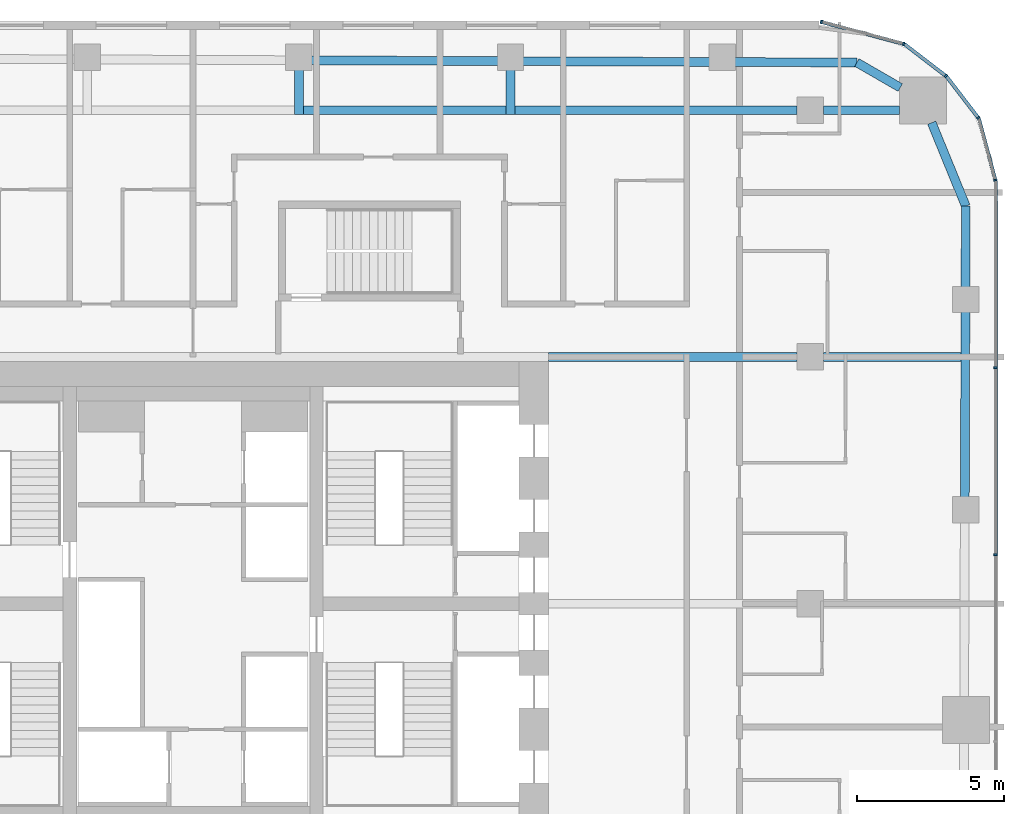
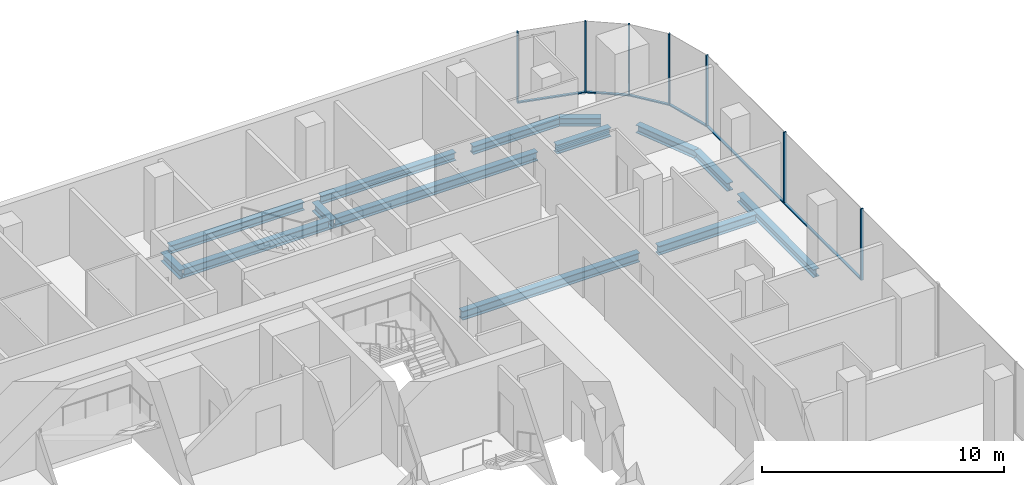
# One storey, part 11 of 23: 14 beams, 13 members, 5 elements without a shape of their own.
"""IFC4 building model written with IfcOpenShell, lengths in metres."""

from ifc_helpers import new_model, si_unit, direction, frame, origin, origin_2d, place, context, subcontext, project, spatial, rectangle, i_section, extrude, material, layer, layer_set, material_profile, profile_set, type_object, element, aggregate, save


model = new_model("IFC4")

# Units and contexts
model_context = context("Model", 3, precision=1e-05, world=origin(), true_north=direction((0.0, 1.0)))
body_context = subcontext(model_context, "Body", "Model", "MODEL_VIEW")
ifc_project = project(units=[si_unit("LENGTHUNIT", "METRE"), si_unit("AREAUNIT", "SQUARE_METRE"), si_unit("VOLUMEUNIT", "CUBIC_METRE"), si_unit("PLANEANGLEUNIT", "RADIAN"), si_unit("MASSUNIT", "GRAM", prefix="KILO")], contexts=[model_context])

# Site, building, storey
site_placement = place(None, origin())
site = spatial("IfcSite", under=ifc_project, at=site_placement, CompositionType="ELEMENT")
building_placement = place(site_placement, origin())
building = spatial("IfcBuilding", under=site, at=building_placement, Name="Marenta Gate Hotel Tower", CompositionType="ELEMENT")
storey_placement = place(building_placement, frame((0.0, 0.0, 119.300048828125)))
storey = spatial("IfcBuildingStorey", under=building, at=storey_placement, Name="L26", CompositionType="ELEMENT", Elevation=119.300048828125)

# Beams
ifc_material_1 = material(Name="Steel S355", Category="steel")
ifc_material_profile_1 = material_profile(ifc_material_1, i_section(OverallWidth=0.300048828125, OverallDepth=0.39990234375, WebThickness=0.013427734375, FlangeThickness=0.02392578125, FilletRadius=0.027099609375, at=origin_2d()), Name="HEB 400")
ifc_profile_set_1 = profile_set([ifc_material_profile_1], Name="Steel S355")
beam_type_1 = type_object("IfcBeamType", Name="Edge beam HEB 400", PredefinedType="SPANDREL", material=ifc_profile_set_1)
beam_1_placement = place(storey_placement, frame((4.011474609375, 26.89697265625, -0.4599609375), z_axis=(0.999991780119, -0.004054589324, 0.0), x_axis=(0.004054589324, 0.999991780119, 0.0)))
element("IfcBeam", 1, at=beam_1_placement, inside=storey, type_object=beam_type_1, Name="L26-EB-17", PredefinedType="SPANDREL", context=body_context, shape_type="SweptSolid", body=[
    extrude(i_section(OverallWidth=0.300048828125, OverallDepth=0.39990234375, WebThickness=0.013427734375, FlangeThickness=0.02392578125, FilletRadius=0.027099609375, at=origin_2d()), origin(), (0.0, 0.0, 1.0), 6.382568359375),
])
beam_2_placement = place(storey_placement, frame((11.214111328125, 26.86767578125, -0.4599609375), z_axis=(0.999991780748, -0.00405443424, 0.0), x_axis=(0.00405443424, 0.999991780748, 0.0)))
element("IfcBeam", 2, at=beam_2_placement, inside=storey, type_object=beam_type_1, Name="L26-EB-18", PredefinedType="SPANDREL", context=body_context, shape_type="SweptSolid", body=[
    extrude(i_section(OverallWidth=0.300048828125, OverallDepth=0.39990234375, WebThickness=0.013427734375, FlangeThickness=0.02392578125, FilletRadius=0.027099609375, at=origin_2d()), origin(), (0.0, 0.0, 1.0), 6.3828125),
])
beam_3_placement = place(storey_placement, frame((18.4169921875, 26.83837890625, -0.4599609375), z_axis=(0.999991621459, -0.004093532953, 0.0), x_axis=(0.004093532953, 0.999991621459, 0.0)))
element("IfcBeam", 3, at=beam_3_placement, inside=storey, type_object=beam_type_1, Name="L26-EB-19", PredefinedType="SPANDREL", context=body_context, shape_type="SweptSolid", body=[
    extrude(i_section(OverallWidth=0.300048828125, OverallDepth=0.39990234375, WebThickness=0.013427734375, FlangeThickness=0.02392578125, FilletRadius=0.027099609375, at=origin_2d()), origin(), (0.0, 0.0, 1.0), 4.1748046875),
])
beam_4_placement = place(storey_placement, frame((22.591796875, 26.8212890625, -0.4599609375), z_axis=(0.866016478054, -0.500015459501, 0.0), x_axis=(0.500015459501, 0.866016478054, 0.0)))
element("IfcBeam", 4, at=beam_4_placement, inside=storey, type_object=beam_type_1, Name="L26-EB-20", PredefinedType="SPANDREL", context=body_context, shape_type="SweptSolid", body=[
    extrude(i_section(OverallWidth=0.300048828125, OverallDepth=0.39990234375, WebThickness=0.013427734375, FlangeThickness=0.02392578125, FilletRadius=0.027099609375, at=origin_2d()), origin(), (0.0, 0.0, 1.0), 1.70703125),
])
beam_5_placement = place(storey_placement, frame((25.138916015625, 24.7724609375, -0.4599609375), z_axis=(0.378682450416, -0.925526661824, 0.0), x_axis=(0.925526661824, 0.378682450416, 0.0)))
element("IfcBeam", 5, at=beam_5_placement, inside=storey, type_object=beam_type_1, Name="L26-EB-21", PredefinedType="SPANDREL", context=body_context, shape_type="SweptSolid", body=[
    extrude(i_section(OverallWidth=0.300048828125, OverallDepth=0.39990234375, WebThickness=0.013427734375, FlangeThickness=0.02392578125, FilletRadius=0.027099609375, at=origin_2d()), origin(), (0.0, 0.0, 1.0), 3.066162109375),
])
beam_6_placement = place(storey_placement, frame((26.300048828125, 21.9345703125, -0.4599609375), z_axis=(-0.003351542298, -0.999994383566, 0.0), x_axis=(0.999994383566, -0.003351542298, 0.0)))
element("IfcBeam", 6, at=beam_6_placement, inside=storey, type_object=beam_type_1, Name="L26-EB-22", PredefinedType="SPANDREL", context=body_context, shape_type="SweptSolid", body=[
    extrude(i_section(OverallWidth=0.300048828125, OverallDepth=0.39990234375, WebThickness=0.013427734375, FlangeThickness=0.02392578125, FilletRadius=0.027099609375, at=origin_2d()), origin(), (0.0, 0.0, 1.0), 2.76806640625),
])
beam_7_placement = place(storey_placement, frame((26.2880859375, 18.346435546875, -0.4599609375), z_axis=(-0.00335374545, -0.99999437618, 0.0), x_axis=(0.99999437618, -0.00335374545, 0.0)))
element("IfcBeam", 7, at=beam_7_placement, inside=storey, type_object=beam_type_1, Name="L26-EB-23", PredefinedType="SPANDREL", context=body_context, shape_type="SweptSolid", body=[
    extrude(i_section(OverallWidth=0.300048828125, OverallDepth=0.39990234375, WebThickness=0.013427734375, FlangeThickness=0.02392578125, FilletRadius=0.027099609375, at=origin_2d()), origin(), (0.0, 0.0, 1.0), 6.333251953125),
])
ifc_material_2 = material(Name="Steel S355", Category="steel")
ifc_material_profile_2 = material_profile(ifc_material_2, i_section(OverallWidth=0.300048828125, OverallDepth=0.449951171875, WebThickness=0.013916015625, FlangeThickness=0.02587890625, FilletRadius=0.027099609375, at=origin_2d()), Name="HEB 450")
ifc_profile_set_2 = profile_set([ifc_material_profile_2], Name="Steel S355")
beam_type_2 = type_object("IfcBeamType", Name="Girder HEB 450", PredefinedType="BEAM", material=ifc_profile_set_2)
beam_8_placement = place(storey_placement, frame((12.10009765625, 16.800048828125, -0.485107421875), z_axis=(1.0, 0.0, 0.0), x_axis=(0.0, 1.0, 0.0)))
element("IfcBeam", 8, at=beam_8_placement, inside=storey, type_object=beam_type_2, Name="L26-GD-27", PredefinedType="BEAM", context=body_context, shape_type="SweptSolid", body=[
    extrude(i_section(OverallWidth=0.300048828125, OverallDepth=0.449951171875, WebThickness=0.013916015625, FlangeThickness=0.02587890625, FilletRadius=0.027099609375, at=origin_2d()), origin(), (0.0, 0.0, 1.0), 8.449951171875),
])
beam_9_placement = place(storey_placement, frame((21.449951171875, 16.800048828125, -0.485107421875), z_axis=(1.0, 0.0, 0.0), x_axis=(0.0, 1.0, 0.0)))
element("IfcBeam", 9, at=beam_9_placement, inside=storey, type_object=beam_type_2, Name="L26-GD-28", PredefinedType="BEAM", context=body_context, shape_type="SweptSolid", body=[
    extrude(i_section(OverallWidth=0.300048828125, OverallDepth=0.449951171875, WebThickness=0.013916015625, FlangeThickness=0.02587890625, FilletRadius=0.027099609375, at=origin_2d()), origin(), (0.0, 0.0, 1.0), 4.682861328125),
])
beam_10_placement = place(storey_placement, frame((3.75146484375, 25.199951171875, -0.485107421875), z_axis=(1.0, 0.0, 0.0), x_axis=(0.0, 1.0, 0.0)))
element("IfcBeam", 10, at=beam_10_placement, inside=storey, type_object=beam_type_2, Name="L26-GD-33", PredefinedType="BEAM", context=body_context, shape_type="SweptSolid", body=[
    extrude(i_section(OverallWidth=0.300048828125, OverallDepth=0.449951171875, WebThickness=0.013916015625, FlangeThickness=0.02587890625, FilletRadius=0.027099609375, at=origin_2d()), origin(), (0.0, 0.0, 1.0), 6.902587890625),
])
beam_11_placement = place(storey_placement, frame((10.9541015625, 25.199951171875, -0.485107421875), z_axis=(1.0, 0.0, 0.0), x_axis=(0.0, 1.0, 0.0)))
element("IfcBeam", 11, at=beam_11_placement, inside=storey, type_object=beam_type_2, Name="L26-GD-34", PredefinedType="BEAM", context=body_context, shape_type="SweptSolid", body=[
    extrude(i_section(OverallWidth=0.300048828125, OverallDepth=0.449951171875, WebThickness=0.013916015625, FlangeThickness=0.02587890625, FilletRadius=0.027099609375, at=origin_2d()), origin(), (0.0, 0.0, 1.0), 9.595947265625),
])
beam_12_placement = place(storey_placement, frame((21.449951171875, 25.199951171875, -0.485107421875), z_axis=(1.0, 0.0, 0.0), x_axis=(0.0, 1.0, 0.0)))
element("IfcBeam", 12, at=beam_12_placement, inside=storey, type_object=beam_type_2, Name="L26-GD-35", PredefinedType="BEAM", context=body_context, shape_type="SweptSolid", body=[
    extrude(i_section(OverallWidth=0.300048828125, OverallDepth=0.449951171875, WebThickness=0.013916015625, FlangeThickness=0.02587890625, FilletRadius=0.027099609375, at=origin_2d()), origin(), (0.0, 0.0, 1.0), 2.58544921875),
])
ifc_material_3 = material(Name="Steel S355", Category="steel")
ifc_material_profile_3 = material_profile(ifc_material_3, i_section(OverallWidth=0.300048828125, OverallDepth=0.449951171875, WebThickness=0.013916015625, FlangeThickness=0.02587890625, FilletRadius=0.027099609375, at=origin_2d()), Name="HEB 450")
ifc_profile_set_3 = profile_set([ifc_material_profile_3], Name="Steel S355")
beam_type_3 = type_object("IfcBeamType", Name="Girder bracket HEB 450", PredefinedType="BEAM", material=ifc_profile_set_3)
for number, where, z_axis, x_axis, name in (
    (13, (3.601318359375, 25.050048828125, -0.485107421875), (0.0, 1.0, 0.0), (-1.0, 0.0, 0.0), "L26-GS-3"),
    (14, (10.80419921875, 25.050048828125, -0.485107421875), (0.0, 1.0, 0.0), (-1.0, 0.0, 0.0), "L26-GS-4"),
):
    element("IfcBeam", number, at=place(storey_placement, frame(where, z_axis=z_axis, x_axis=x_axis)), inside=storey, type_object=beam_type_3, Name=name, PredefinedType="BEAM", context=body_context, shape_type="SweptSolid", body=[
        extrude(i_section(OverallWidth=0.300048828125, OverallDepth=0.449951171875, WebThickness=0.013916015625, FlangeThickness=0.02587890625, FilletRadius=0.027099609375, at=origin_2d()), origin(), (0.0, 0.0, 1.0), 1.5400390625),
    ])

# Curtain wall, members
ifc_material_4 = material(Name="Tinted insulated glass in bronze anodised frame", Category="glass")
ifc_layer = layer(ifc_material_4, 0.1201171875)
ifc_layer_set = layer_set([ifc_layer], Name="Tinted insulated glass in bronze anodised frame")
curtain_wall_type = type_object("IfcCurtainWallType", Name="Tower unitised curtain wall CW1", PredefinedType="NOTDEFINED", material=ifc_layer_set)
curtain_wall_1_placement = place(storey_placement, origin())
curtain_wall_1 = element("IfcCurtainWall", 15, at=curtain_wall_1_placement, inside=storey, type_object=curtain_wall_type, Name="CW1 run G11", PredefinedType="NOTDEFINED")
ifc_material_5 = material(Name="Bronze anodised aluminium", Category="aluminium")
ifc_material_profile_4 = material_profile(ifc_material_5, rectangle(XDim=0.1201171875, YDim=0.06005859375, at=origin_2d()), Name="Mullion CW1 60x120 bronze anodised aluminium")
ifc_profile_set_4 = profile_set([ifc_material_profile_4], Name="Bronze anodised aluminium")
member_type_1 = type_object("IfcMemberType", Name="Mullion CW1 60x120 bronze anodised aluminium", PredefinedType="MULLION", material=ifc_profile_set_4)
member_1_placement = place(storey_placement, frame((27.31396484375, 10.072021484375, 0.0), z_axis=(0.0, 0.0, 1.0), x_axis=(-1.0, 0.0, 0.0)))
member_1 = element("IfcMember", 16, at=member_1_placement, type_object=member_type_1, Name="CW1 mullion 5", PredefinedType="MULLION", context=body_context, shape_type="SweptSolid", body=[
    extrude(rectangle(XDim=0.1201171875, YDim=0.06005859375, at=origin_2d()), origin(), (0.0, 0.0, 1.0), 3.599853515625),
])
member_2_placement = place(storey_placement, frame((27.31396484375, 16.431884765625, 0.0), z_axis=(0.0, 0.0, 1.0), x_axis=(-1.0, 0.0, 0.0)))
member_2 = element("IfcMember", 17, at=member_2_placement, type_object=member_type_1, Name="CW1 mullion 6", PredefinedType="MULLION", context=body_context, shape_type="SweptSolid", body=[
    extrude(rectangle(XDim=0.1201171875, YDim=0.06005859375, at=origin_2d()), origin(), (0.0, 0.0, 1.0), 3.599853515625),
])

# Curtain wall, member
curtain_wall_2_placement = place(storey_placement, origin())
curtain_wall_2 = element("IfcCurtainWall", 18, at=curtain_wall_2_placement, inside=storey, type_object=curtain_wall_type, Name="CW1 run G12", PredefinedType="NOTDEFINED")
member_3_placement = place(storey_placement, frame((27.30615234375, 22.82080078125, 0.0), z_axis=(0.0, 0.0, 1.0), x_axis=(-0.965924859908, -0.258822651658, 0.0)))
member_3 = element("IfcMember", 19, at=member_3_placement, type_object=member_type_1, Name="CW1 mullion 1", PredefinedType="MULLION", context=body_context, shape_type="SweptSolid", body=[
    extrude(rectangle(XDim=0.1201171875, YDim=0.06005859375, at=origin_2d()), origin(), (0.0, 0.0, 1.0), 3.599853515625),
])

curtain_wall_3_placement = place(storey_placement, origin())
curtain_wall_3 = element("IfcCurtainWall", 20, at=curtain_wall_3_placement, inside=storey, type_object=curtain_wall_type, Name="CW1 run G13", PredefinedType="NOTDEFINED")
member_4_placement = place(storey_placement, frame((26.727783203125, 24.93505859375, 0.0), z_axis=(0.0, 0.0, 1.0), x_axis=(-0.793326722289, -0.608796116694, 0.0)))
member_4 = element("IfcMember", 21, at=member_4_placement, type_object=member_type_1, Name="CW1 mullion 1", PredefinedType="MULLION", context=body_context, shape_type="SweptSolid", body=[
    extrude(rectangle(XDim=0.1201171875, YDim=0.06005859375, at=origin_2d()), origin(), (0.0, 0.0, 1.0), 3.599853515625),
])

curtain_wall_4_placement = place(storey_placement, origin())
curtain_wall_4 = element("IfcCurtainWall", 22, at=curtain_wall_4_placement, inside=storey, type_object=curtain_wall_type, Name="CW1 run G14", PredefinedType="NOTDEFINED")
member_5_placement = place(storey_placement, frame((25.62158203125, 26.36376953125, 0.0), z_axis=(0.0, 0.0, 1.0), x_axis=(-0.608796116694, -0.793326722289, 0.0)))
member_5 = element("IfcMember", 23, at=member_5_placement, type_object=member_type_1, Name="CW1 mullion 1", PredefinedType="MULLION", context=body_context, shape_type="SweptSolid", body=[
    extrude(rectangle(XDim=0.1201171875, YDim=0.06005859375, at=origin_2d()), origin(), (0.0, 0.0, 1.0), 3.599853515625),
])

# Curtain wall, members
curtain_wall_5_placement = place(storey_placement, origin())
curtain_wall_5 = element("IfcCurtainWall", 24, at=curtain_wall_5_placement, inside=storey, type_object=curtain_wall_type, Name="CW1 run G15", PredefinedType="NOTDEFINED")
member_6_placement = place(storey_placement, frame((24.182373046875, 27.453857421875, 0.0), z_axis=(0.0, 0.0, 1.0), x_axis=(-0.258805989975, -0.965929324305, 0.0)))
member_6 = element("IfcMember", 25, at=member_6_placement, type_object=member_type_1, Name="CW1 mullion 1", PredefinedType="MULLION", context=body_context, shape_type="SweptSolid", body=[
    extrude(rectangle(XDim=0.1201171875, YDim=0.06005859375, at=origin_2d()), origin(), (0.0, 0.0, 1.0), 3.599853515625),
])
member_7_placement = place(storey_placement, frame((21.385498046875, 28.203125, 0.0), z_axis=(0.0, 0.0, 1.0), x_axis=(-0.258805989975, -0.965929324305, 0.0)))
member_7 = element("IfcMember", 26, at=member_7_placement, type_object=member_type_1, Name="CW1 mullion 2", PredefinedType="MULLION", context=body_context, shape_type="SweptSolid", body=[
    extrude(rectangle(XDim=0.1201171875, YDim=0.06005859375, at=origin_2d()), origin(), (0.0, 0.0, 1.0), 3.599853515625),
])

# Member
ifc_material_6 = material(Name="Bronze anodised aluminium", Category="aluminium")
ifc_material_profile_5 = material_profile(ifc_material_6, rectangle(XDim=0.1201171875, YDim=0.06005859375, at=origin_2d()), Name="Transom CW1 60x120 bronze anodised aluminium")
ifc_profile_set_5 = profile_set([ifc_material_profile_5], Name="Bronze anodised aluminium")
member_type_2 = type_object("IfcMemberType", Name="Transom CW1 60x120 bronze anodised aluminium", PredefinedType="USERDEFINED", material=ifc_profile_set_5)
member_8_placement = place(storey_placement, frame((27.31396484375, 10.10205078125, 0.030029296875), z_axis=(0.0, 1.0, 0.0), x_axis=(-1.0, 0.0, 0.0)))
member_8 = element("IfcMember", 27, at=member_8_placement, type_object=member_type_2, Name="CW1 transom 5.1", ObjectType="TRANSOM", PredefinedType="USERDEFINED", context=body_context, shape_type="SweptSolid", body=[
    extrude(rectangle(XDim=0.1201171875, YDim=0.06005859375, at=origin_2d()), origin(), (0.0, 0.0, 1.0), 6.2998046875),
])

member_9_placement = place(storey_placement, frame((27.31396484375, 16.4619140625, 0.030029296875), z_axis=(0.0, 1.0, 0.0), x_axis=(-1.0, 0.0, 0.0)))
member_9 = element("IfcMember", 28, at=member_9_placement, type_object=member_type_2, Name="CW1 transom 6.1", ObjectType="TRANSOM", PredefinedType="USERDEFINED", context=body_context, shape_type="SweptSolid", body=[
    extrude(rectangle(XDim=0.1201171875, YDim=0.06005859375, at=origin_2d()), origin(), (0.0, 0.0, 1.0), 6.330078125),
])

aggregate(curtain_wall_1, [member_1, member_2, member_8, member_9])

member_10_placement = place(storey_placement, frame((27.298583984375, 22.849853515625, 0.030029296875), z_axis=(-0.258865686882, 0.965913327455, 0.0), x_axis=(-0.965913327455, -0.258865686882, 0.0)))
member_10 = element("IfcMember", 29, at=member_10_placement, type_object=member_type_2, Name="CW1 transom 1.1", ObjectType="TRANSOM", PredefinedType="USERDEFINED", context=body_context, shape_type="SweptSolid", body=[
    extrude(rectangle(XDim=0.1201171875, YDim=0.06005859375, at=origin_2d()), origin(), (0.0, 0.0, 1.0), 2.13427734375),
])

aggregate(curtain_wall_2, [member_3, member_10])

member_11_placement = place(storey_placement, frame((26.70947265625, 24.958984375, 0.030029296875), z_axis=(-0.608792205599, 0.793329723634, 0.0), x_axis=(-0.793329723634, -0.608792205599, 0.0)))
member_11 = element("IfcMember", 30, at=member_11_placement, type_object=member_type_2, Name="CW1 transom 1.1", ObjectType="TRANSOM", PredefinedType="USERDEFINED", context=body_context, shape_type="SweptSolid", body=[
    extrude(rectangle(XDim=0.1201171875, YDim=0.06005859375, at=origin_2d()), origin(), (0.0, 0.0, 1.0), 1.74755859375),
])

aggregate(curtain_wall_3, [member_4, member_11])

member_12_placement = place(storey_placement, frame((25.597900390625, 26.382080078125, 0.030029296875), z_axis=(-0.793381490019, 0.608724741814, 0.0), x_axis=(-0.608724741814, -0.793381490019, 0.0)))
member_12 = element("IfcMember", 31, at=member_12_placement, type_object=member_type_2, Name="CW1 transom 1.1", ObjectType="TRANSOM", PredefinedType="USERDEFINED", context=body_context, shape_type="SweptSolid", body=[
    extrude(rectangle(XDim=0.1201171875, YDim=0.06005859375, at=origin_2d()), origin(), (0.0, 0.0, 1.0), 1.747802734375),
])

aggregate(curtain_wall_4, [member_5, member_12])

member_13_placement = place(storey_placement, frame((24.1533203125, 27.461669921875, 0.030029296875), z_axis=(-0.965922684272, 0.258830770986, 0.0), x_axis=(-0.258830770986, -0.965922684272, 0.0)))
member_13 = element("IfcMember", 32, at=member_13_placement, type_object=member_type_2, Name="CW1 transom 1.1", ObjectType="TRANSOM", PredefinedType="USERDEFINED", context=body_context, shape_type="SweptSolid", body=[
    extrude(rectangle(XDim=0.1201171875, YDim=0.06005859375, at=origin_2d()), origin(), (0.0, 0.0, 1.0), 2.83544921875),
])

aggregate(curtain_wall_5, [member_6, member_7, member_13])

save(model, "model.ifc")
